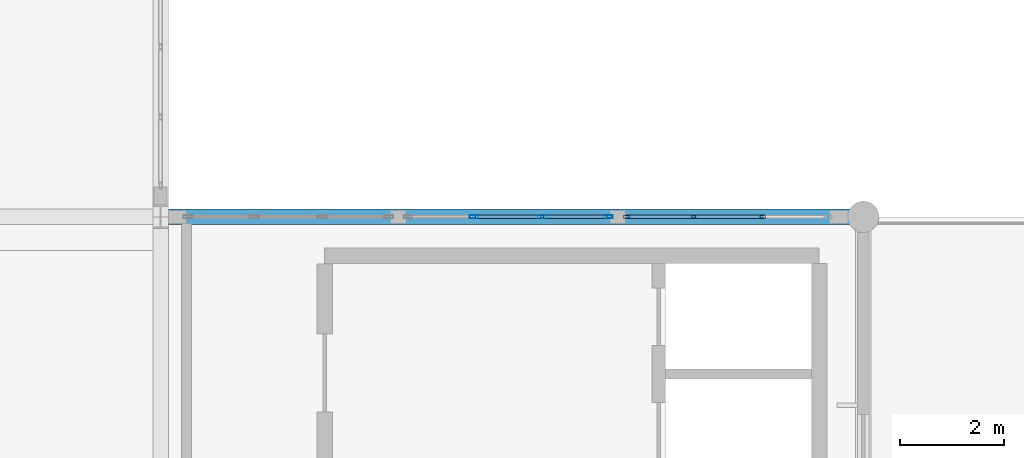
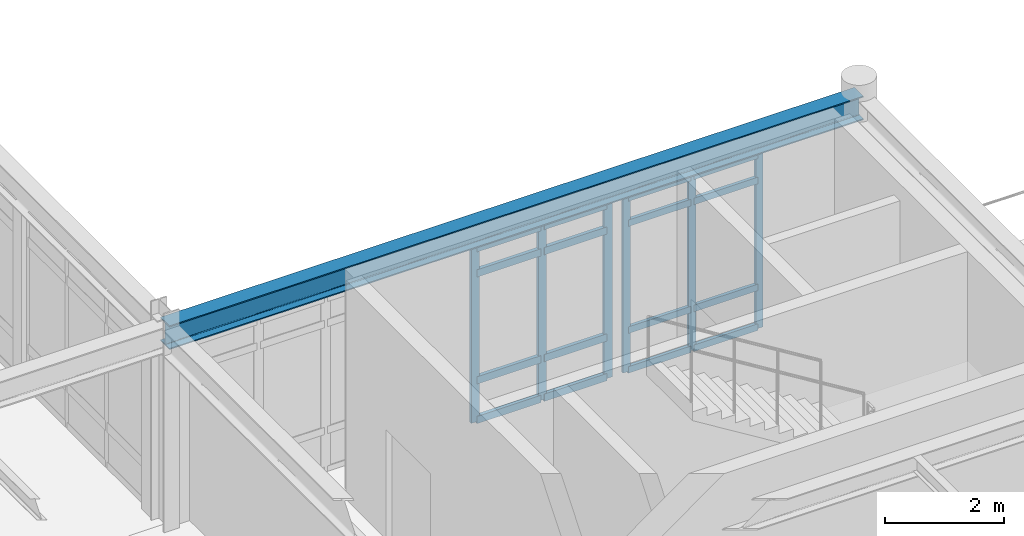
# One storey, part 21 of 61: 22 members, 1 beam, 2 elements without a shape of their own.
"""IFC4 building model written with IfcOpenShell, lengths in metres."""

from ifc_helpers import new_model, si_unit, direction, frame, origin, origin_2d, place, context, subcontext, project, spatial, hollow_rectangle, i_section, extrude, material, layer, layer_set, material_profile, profile_set, type_object, element, aggregate, save


model = new_model("IFC4")

# Units and contexts
model_context = context("Model", 3, precision=1e-05, world=origin(), true_north=direction((0.0, 1.0)))
body_context = subcontext(model_context, "Body", "Model", "MODEL_VIEW")
ifc_project = project(units=[si_unit("LENGTHUNIT", "METRE"), si_unit("AREAUNIT", "SQUARE_METRE"), si_unit("VOLUMEUNIT", "CUBIC_METRE"), si_unit("PLANEANGLEUNIT", "RADIAN"), si_unit("MASSUNIT", "GRAM", prefix="KILO")], contexts=[model_context])

# Site, building, storey
site_placement = place(None, origin())
site = spatial("IfcSite", under=ifc_project, at=site_placement, CompositionType="ELEMENT")
building_placement = place(site_placement, origin())
building = spatial("IfcBuilding", under=site, at=building_placement, Name="Fikremerkos Civic Library", CompositionType="ELEMENT")
storey_placement = place(building_placement, frame((0.0, 0.0, 14.39990234375)))
storey = spatial("IfcBuildingStorey", under=building, at=storey_placement, Name="L03", CompositionType="ELEMENT", Elevation=14.39990234375)

# Curtain wall, members
ifc_material_1 = material(Name="Anodized aluminium Frame", Category="aluminium")
ifc_layer_1 = layer(ifc_material_1, 0.159912109375, Name="Anodized aluminium Frame")
ifc_layer_set_1 = layer_set([ifc_layer_1], Name="Anodized aluminium Frame")
curtain_wall_type_1 = type_object("IfcCurtainWallType", Name="Unitised curtain wall CW-10 4000x3400", PredefinedType="USERDEFINED", material=ifc_layer_set_1)
curtain_wall_1_placement = place(storey_placement, origin())
curtain_wall_1 = element("IfcCurtainWall", 1, at=curtain_wall_1_placement, inside=storey, type_object=curtain_wall_type_1, Name="Unitised curtain wall CW-10 L03 #208", ObjectType="UNITISED CURTAIN WALL", PredefinedType="USERDEFINED")
ifc_material_profile_1 = material_profile(ifc_material_1, hollow_rectangle(XDim=0.06005859375, YDim=0.159912109375, WallThickness=0.00390625, at=origin_2d()), Name="ALU 160x60x4")
ifc_profile_set_1 = profile_set([ifc_material_profile_1], Name="Anodized aluminium Frame")
member_type_1 = type_object("IfcMemberType", Name="Curtain mullion CWM-02 ALU 160x60x4", PredefinedType="MULLION", material=ifc_profile_set_1)
member_1_placement = place(storey_placement, frame((106.221923828125, 31.199951171875, 0.0), z_axis=(0.0, 0.0, 1.0), x_axis=(0.0, 1.0, 0.0)))
member_1 = element("IfcMember", 2, at=member_1_placement, type_object=member_type_1, Name="CW-10 mullion 2", PredefinedType="MULLION", context=body_context, shape_type="SweptSolid", body=[
    extrude(hollow_rectangle(XDim=0.06005859375, YDim=0.159912109375, WallThickness=0.00390625, at=origin_2d()), origin(), (0.0, 0.0, 1.0), 3.60009765625),
])
member_2_placement = place(storey_placement, frame((107.528076171875, 31.199951171875, 0.0), z_axis=(0.0, 0.0, 1.0), x_axis=(0.0, 1.0, 0.0)))
member_2 = element("IfcMember", 3, at=member_2_placement, type_object=member_type_1, Name="CW-10 mullion 3", PredefinedType="MULLION", context=body_context, shape_type="SweptSolid", body=[
    extrude(hollow_rectangle(XDim=0.06005859375, YDim=0.159912109375, WallThickness=0.00390625, at=origin_2d()), origin(), (0.0, 0.0, 1.0), 3.60009765625),
])
member_3_placement = place(storey_placement, frame((108.803955078125, 31.199951171875, 0.0), z_axis=(0.0, 0.0, 1.0), x_axis=(0.0, 1.0, 0.0)))
member_3 = element("IfcMember", 4, at=member_3_placement, type_object=member_type_1, Name="CW-10 mullion 4", PredefinedType="MULLION", context=body_context, shape_type="SweptSolid", body=[
    extrude(hollow_rectangle(XDim=0.06005859375, YDim=0.159912109375, WallThickness=0.00390625, at=origin_2d()), origin(), (0.0, 0.0, 1.0), 3.60009765625),
])

ifc_layer_2 = layer(ifc_material_1, 0.159912109375, Name="Anodized aluminium Frame")
ifc_layer_set_2 = layer_set([ifc_layer_2], Name="Anodized aluminium Frame")
curtain_wall_type_2 = type_object("IfcCurtainWallType", Name="Unitised curtain wall CW-11 3200x3400", PredefinedType="USERDEFINED", material=ifc_layer_set_2)
curtain_wall_2_placement = place(storey_placement, origin())
curtain_wall_2 = element("IfcCurtainWall", 5, at=curtain_wall_2_placement, inside=storey, type_object=curtain_wall_type_2, Name="Unitised curtain wall CW-11 L03 #209", ObjectType="UNITISED CURTAIN WALL", PredefinedType="USERDEFINED")
ifc_material_profile_2 = material_profile(ifc_material_1, hollow_rectangle(XDim=0.06005859375, YDim=0.139892578125, WallThickness=0.00390625, at=origin_2d()), Name="ALU 140x60x4")
ifc_profile_set_2 = profile_set([ifc_material_profile_2], Name="Anodized aluminium Frame")
member_type_2 = type_object("IfcMemberType", Name="Curtain mullion CWM-03 ALU 140x60x4", PredefinedType="MULLION", material=ifc_profile_set_2)
member_4_placement = place(storey_placement, frame((109.1640625, 31.199951171875, 0.0), z_axis=(0.0, 0.0, 1.0), x_axis=(0.0, 1.0, 0.0)))
member_4 = element("IfcMember", 6, at=member_4_placement, type_object=member_type_2, Name="CW-11 mullion 1", PredefinedType="MULLION", context=body_context, shape_type="SweptSolid", body=[
    extrude(hollow_rectangle(XDim=0.06005859375, YDim=0.139892578125, WallThickness=0.00390625, at=origin_2d()), origin(), (0.0, 0.0, 1.0), 3.60009765625),
])
member_5_placement = place(storey_placement, frame((110.43994140625, 31.199951171875, 0.0), z_axis=(0.0, 0.0, 1.0), x_axis=(0.0, 1.0, 0.0)))
member_5 = element("IfcMember", 7, at=member_5_placement, type_object=member_type_2, Name="CW-11 mullion 2", PredefinedType="MULLION", context=body_context, shape_type="SweptSolid", body=[
    extrude(hollow_rectangle(XDim=0.06005859375, YDim=0.139892578125, WallThickness=0.00390625, at=origin_2d()), origin(), (0.0, 0.0, 1.0), 3.60009765625),
])
member_6_placement = place(storey_placement, frame((111.74609375, 31.199951171875, 0.0), z_axis=(0.0, 0.0, 1.0), x_axis=(0.0, 1.0, 0.0)))
member_6 = element("IfcMember", 8, at=member_6_placement, type_object=member_type_2, Name="CW-11 mullion 3", PredefinedType="MULLION", context=body_context, shape_type="SweptSolid", body=[
    extrude(hollow_rectangle(XDim=0.06005859375, YDim=0.139892578125, WallThickness=0.00390625, at=origin_2d()), origin(), (0.0, 0.0, 1.0), 3.60009765625),
])

# Member
ifc_material_profile_3 = material_profile(ifc_material_1, hollow_rectangle(XDim=0.070068359375, YDim=0.14990234375, WallThickness=0.00439453125, at=origin_2d()), Name="ALU 150x70x4.5")
ifc_profile_set_3 = profile_set([ifc_material_profile_3], Name="Anodized aluminium Frame")
member_type_3 = type_object("IfcMemberType", Name="Curtain transom CWT-01 ALU 150x70x4.5", PredefinedType="USERDEFINED", material=ifc_profile_set_3)
member_7_placement = place(storey_placement, frame((106.251953125, 31.199951171875, 0.03515625), z_axis=(1.0, 0.0, 0.0), x_axis=(0.0, 1.0, 0.0)))
member_7 = element("IfcMember", 9, at=member_7_placement, type_object=member_type_3, Name="CW-10 transom 2.1", ObjectType="TRANSOM", PredefinedType="USERDEFINED", context=body_context, shape_type="SweptSolid", body=[
    extrude(hollow_rectangle(XDim=0.070068359375, YDim=0.14990234375, WallThickness=0.00439453125, at=origin_2d()), origin(), (0.0, 0.0, 1.0), 1.24609375),
])

member_8_placement = place(storey_placement, frame((106.251953125, 31.199951171875, 0.85009765625), z_axis=(1.0, 0.0, 0.0), x_axis=(0.0, 1.0, 0.0)))
member_8 = element("IfcMember", 10, at=member_8_placement, type_object=member_type_3, Name="CW-10 transom 2.2", ObjectType="TRANSOM", PredefinedType="USERDEFINED", context=body_context, shape_type="SweptSolid", body=[
    extrude(hollow_rectangle(XDim=0.070068359375, YDim=0.14990234375, WallThickness=0.00439453125, at=origin_2d()), origin(), (0.0, 0.0, 1.0), 1.24609375),
])

member_9_placement = place(storey_placement, frame((106.251953125, 31.199951171875, 3.050048828125), z_axis=(1.0, 0.0, 0.0), x_axis=(0.0, 1.0, 0.0)))
member_9 = element("IfcMember", 11, at=member_9_placement, type_object=member_type_3, Name="CW-10 transom 2.3", ObjectType="TRANSOM", PredefinedType="USERDEFINED", context=body_context, shape_type="SweptSolid", body=[
    extrude(hollow_rectangle(XDim=0.070068359375, YDim=0.14990234375, WallThickness=0.00439453125, at=origin_2d()), origin(), (0.0, 0.0, 1.0), 1.24609375),
])

member_10_placement = place(storey_placement, frame((106.251953125, 31.199951171875, 3.565185546875), z_axis=(1.0, 0.0, 0.0), x_axis=(0.0, 1.0, 0.0)))
member_10 = element("IfcMember", 12, at=member_10_placement, type_object=member_type_3, Name="CW-10 transom 2.4", ObjectType="TRANSOM", PredefinedType="USERDEFINED", context=body_context, shape_type="SweptSolid", body=[
    extrude(hollow_rectangle(XDim=0.070068359375, YDim=0.14990234375, WallThickness=0.00439453125, at=origin_2d()), origin(), (0.0, 0.0, 1.0), 1.24609375),
])

member_11_placement = place(storey_placement, frame((107.55810546875, 31.199951171875, 0.03515625), z_axis=(1.0, 0.0, 0.0), x_axis=(0.0, 1.0, 0.0)))
member_11 = element("IfcMember", 13, at=member_11_placement, type_object=member_type_3, Name="CW-10 transom 3.1", ObjectType="TRANSOM", PredefinedType="USERDEFINED", context=body_context, shape_type="SweptSolid", body=[
    extrude(hollow_rectangle(XDim=0.070068359375, YDim=0.14990234375, WallThickness=0.00439453125, at=origin_2d()), origin(), (0.0, 0.0, 1.0), 1.2158203125),
])

member_12_placement = place(storey_placement, frame((107.55810546875, 31.199951171875, 0.85009765625), z_axis=(1.0, 0.0, 0.0), x_axis=(0.0, 1.0, 0.0)))
member_12 = element("IfcMember", 14, at=member_12_placement, type_object=member_type_3, Name="CW-10 transom 3.2", ObjectType="TRANSOM", PredefinedType="USERDEFINED", context=body_context, shape_type="SweptSolid", body=[
    extrude(hollow_rectangle(XDim=0.070068359375, YDim=0.14990234375, WallThickness=0.00439453125, at=origin_2d()), origin(), (0.0, 0.0, 1.0), 1.2158203125),
])

member_13_placement = place(storey_placement, frame((107.55810546875, 31.199951171875, 3.050048828125), z_axis=(1.0, 0.0, 0.0), x_axis=(0.0, 1.0, 0.0)))
member_13 = element("IfcMember", 15, at=member_13_placement, type_object=member_type_3, Name="CW-10 transom 3.3", ObjectType="TRANSOM", PredefinedType="USERDEFINED", context=body_context, shape_type="SweptSolid", body=[
    extrude(hollow_rectangle(XDim=0.070068359375, YDim=0.14990234375, WallThickness=0.00439453125, at=origin_2d()), origin(), (0.0, 0.0, 1.0), 1.2158203125),
])

member_14_placement = place(storey_placement, frame((107.55810546875, 31.199951171875, 3.565185546875), z_axis=(1.0, 0.0, 0.0), x_axis=(0.0, 1.0, 0.0)))
member_14 = element("IfcMember", 16, at=member_14_placement, type_object=member_type_3, Name="CW-10 transom 3.4", ObjectType="TRANSOM", PredefinedType="USERDEFINED", context=body_context, shape_type="SweptSolid", body=[
    extrude(hollow_rectangle(XDim=0.070068359375, YDim=0.14990234375, WallThickness=0.00439453125, at=origin_2d()), origin(), (0.0, 0.0, 1.0), 1.2158203125),
])

aggregate(curtain_wall_1, [member_1, member_2, member_3, member_7, member_8, member_9, member_10, member_11, member_12, member_13, member_14])

ifc_material_profile_4 = material_profile(ifc_material_1, hollow_rectangle(XDim=0.06494140625, YDim=0.135009765625, WallThickness=0.00439453125, at=origin_2d()), Name="ALU 135x65x4.5")
ifc_profile_set_4 = profile_set([ifc_material_profile_4], Name="Anodized aluminium Frame")
member_type_4 = type_object("IfcMemberType", Name="Curtain transom CWT-02 ALU 135x65x4.5", PredefinedType="USERDEFINED", material=ifc_profile_set_4)
member_15_placement = place(storey_placement, frame((109.194091796875, 31.199951171875, 0.03271484375), z_axis=(1.0, 0.0, 0.0), x_axis=(0.0, 1.0, 0.0)))
member_15 = element("IfcMember", 17, at=member_15_placement, type_object=member_type_4, Name="CW-11 transom 1.1", ObjectType="TRANSOM", PredefinedType="USERDEFINED", context=body_context, shape_type="SweptSolid", body=[
    extrude(hollow_rectangle(XDim=0.06494140625, YDim=0.135009765625, WallThickness=0.00439453125, at=origin_2d()), origin(), (0.0, 0.0, 1.0), 1.2158203125),
])

member_16_placement = place(storey_placement, frame((109.194091796875, 31.199951171875, 0.85009765625), z_axis=(1.0, 0.0, 0.0), x_axis=(0.0, 1.0, 0.0)))
member_16 = element("IfcMember", 18, at=member_16_placement, type_object=member_type_4, Name="CW-11 transom 1.2", ObjectType="TRANSOM", PredefinedType="USERDEFINED", context=body_context, shape_type="SweptSolid", body=[
    extrude(hollow_rectangle(XDim=0.06494140625, YDim=0.135009765625, WallThickness=0.00439453125, at=origin_2d()), origin(), (0.0, 0.0, 1.0), 1.2158203125),
])

member_17_placement = place(storey_placement, frame((109.194091796875, 31.199951171875, 3.050048828125), z_axis=(1.0, 0.0, 0.0), x_axis=(0.0, 1.0, 0.0)))
member_17 = element("IfcMember", 19, at=member_17_placement, type_object=member_type_4, Name="CW-11 transom 1.3", ObjectType="TRANSOM", PredefinedType="USERDEFINED", context=body_context, shape_type="SweptSolid", body=[
    extrude(hollow_rectangle(XDim=0.06494140625, YDim=0.135009765625, WallThickness=0.00439453125, at=origin_2d()), origin(), (0.0, 0.0, 1.0), 1.2158203125),
])

member_18_placement = place(storey_placement, frame((109.194091796875, 31.199951171875, 3.567626953125), z_axis=(1.0, 0.0, 0.0), x_axis=(0.0, 1.0, 0.0)))
member_18 = element("IfcMember", 20, at=member_18_placement, type_object=member_type_4, Name="CW-11 transom 1.4", ObjectType="TRANSOM", PredefinedType="USERDEFINED", context=body_context, shape_type="SweptSolid", body=[
    extrude(hollow_rectangle(XDim=0.06494140625, YDim=0.135009765625, WallThickness=0.00439453125, at=origin_2d()), origin(), (0.0, 0.0, 1.0), 1.2158203125),
])

member_19_placement = place(storey_placement, frame((110.469970703125, 31.199951171875, 0.03271484375), z_axis=(1.0, 0.0, 0.0), x_axis=(0.0, 1.0, 0.0)))
member_19 = element("IfcMember", 21, at=member_19_placement, type_object=member_type_4, Name="CW-11 transom 2.1", ObjectType="TRANSOM", PredefinedType="USERDEFINED", context=body_context, shape_type="SweptSolid", body=[
    extrude(hollow_rectangle(XDim=0.06494140625, YDim=0.135009765625, WallThickness=0.00439453125, at=origin_2d()), origin(), (0.0, 0.0, 1.0), 1.24609375),
])

member_20_placement = place(storey_placement, frame((110.469970703125, 31.199951171875, 0.85009765625), z_axis=(1.0, 0.0, 0.0), x_axis=(0.0, 1.0, 0.0)))
member_20 = element("IfcMember", 22, at=member_20_placement, type_object=member_type_4, Name="CW-11 transom 2.2", ObjectType="TRANSOM", PredefinedType="USERDEFINED", context=body_context, shape_type="SweptSolid", body=[
    extrude(hollow_rectangle(XDim=0.06494140625, YDim=0.135009765625, WallThickness=0.00439453125, at=origin_2d()), origin(), (0.0, 0.0, 1.0), 1.24609375),
])

member_21_placement = place(storey_placement, frame((110.469970703125, 31.199951171875, 3.050048828125), z_axis=(1.0, 0.0, 0.0), x_axis=(0.0, 1.0, 0.0)))
member_21 = element("IfcMember", 23, at=member_21_placement, type_object=member_type_4, Name="CW-11 transom 2.3", ObjectType="TRANSOM", PredefinedType="USERDEFINED", context=body_context, shape_type="SweptSolid", body=[
    extrude(hollow_rectangle(XDim=0.06494140625, YDim=0.135009765625, WallThickness=0.00439453125, at=origin_2d()), origin(), (0.0, 0.0, 1.0), 1.24609375),
])

member_22_placement = place(storey_placement, frame((110.469970703125, 31.199951171875, 3.567626953125), z_axis=(1.0, 0.0, 0.0), x_axis=(0.0, 1.0, 0.0)))
member_22 = element("IfcMember", 24, at=member_22_placement, type_object=member_type_4, Name="CW-11 transom 2.4", ObjectType="TRANSOM", PredefinedType="USERDEFINED", context=body_context, shape_type="SweptSolid", body=[
    extrude(hollow_rectangle(XDim=0.06494140625, YDim=0.135009765625, WallThickness=0.00439453125, at=origin_2d()), origin(), (0.0, 0.0, 1.0), 1.24609375),
])

aggregate(curtain_wall_2, [member_4, member_5, member_6, member_15, member_16, member_17, member_18, member_19, member_20, member_21, member_22])

# Beam
ifc_material_2 = material(Name="Steel S355", Category="steel")
ifc_material_profile_5 = material_profile(ifc_material_2, i_section(OverallWidth=0.300048828125, OverallDepth=0.489990234375, WebThickness=0.011962890625, FlangeThickness=0.02294921875, FilletRadius=0.027099609375, at=origin_2d()), Name="HEA 500")
ifc_profile_set_5 = profile_set([ifc_material_profile_5], Name="Steel S355")
beam_type = type_object("IfcBeamType", Name="Primary girder BM-17 HEA 500", PredefinedType="BEAM", material=ifc_profile_set_5)
beam_placement = place(storey_placement, frame((100.199951171875, 31.199951171875, 3.9150390625), z_axis=(1.0, 0.0, 0.0), x_axis=(0.0, 1.0, 0.0)))
element("IfcBeam", 25, at=beam_placement, inside=storey, type_object=beam_type, Name="Primary girder BM-17 L03 grid G", PredefinedType="BEAM", context=body_context, shape_type="SweptSolid", body=[
    extrude(i_section(OverallWidth=0.300048828125, OverallDepth=0.489990234375, WebThickness=0.011962890625, FlangeThickness=0.02294921875, FilletRadius=0.027099609375, at=origin_2d()), origin(), (0.0, 0.0, 1.0), 13.5),
])

save(model, "model.ifc")
